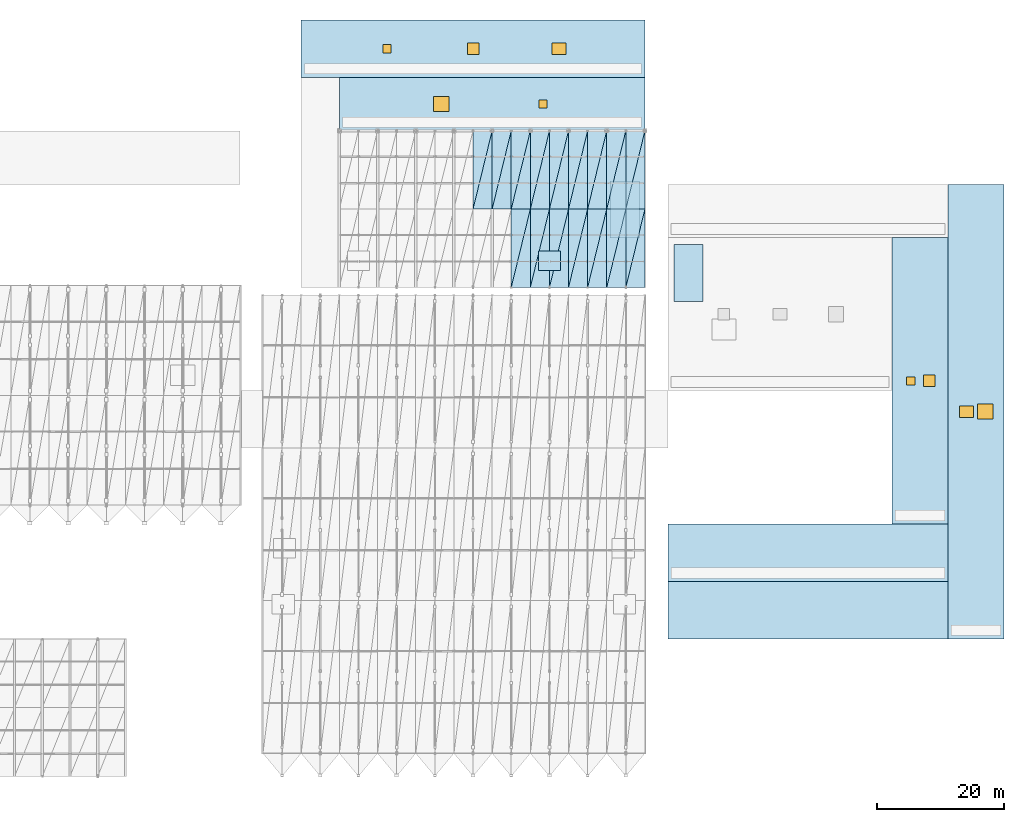
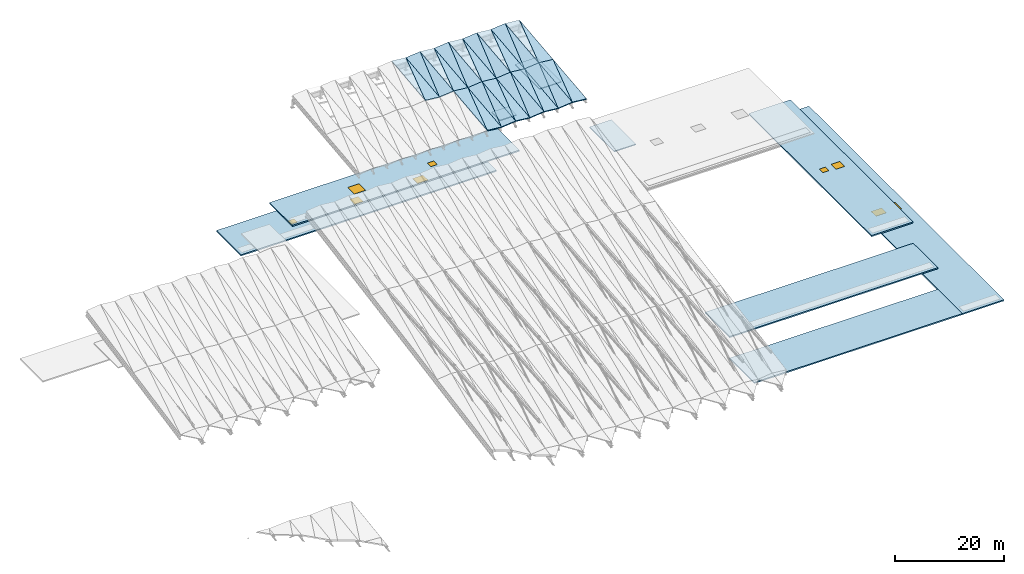
"""IFC4 building model written with IfcOpenShell, lengths in metres."""

from ifc_helpers import new_model, si_unit, direction, frame, origin, origin_2d, place, context, subcontext, project, spatial, polyline, rectangle, outline, extrude, material, layer, layer_set, type_object, element, fill, save


model = new_model("IFC4")

# Units and contexts
model_context = context("Model", 3, precision=1e-05, world=origin(), true_north=direction((0.0, 1.0)))
body_context = subcontext(model_context, "Body", "Model", "MODEL_VIEW")
ifc_project = project(units=[si_unit("LENGTHUNIT", "METRE"), si_unit("AREAUNIT", "SQUARE_METRE"), si_unit("VOLUMEUNIT", "CUBIC_METRE"), si_unit("PLANEANGLEUNIT", "RADIAN"), si_unit("MASSUNIT", "GRAM", prefix="KILO")], contexts=[model_context])

# Site, building, storey
site_placement = place(None, origin())
site = spatial("IfcSite", under=ifc_project, at=site_placement, CompositionType="ELEMENT")
building_placement = place(site_placement, origin())
building = spatial("IfcBuilding", under=site, at=building_placement, Name="Vaelkrest Opera House", CompositionType="ELEMENT")
storey_1_placement = place(building_placement, frame((0.0, 0.0, 41.39990234375)))
storey_1 = spatial("IfcBuildingStorey", under=building, at=storey_1_placement, Name="ROOF", CompositionType="ELEMENT", Elevation=41.39990234375)

# Slabs
ifc_material_1 = material(Name="Concrete C40/50", Category="concrete")
ifc_layer_1 = layer(ifc_material_1, 0.195068359375)
ifc_layer_set_1 = layer_set([ifc_layer_1], Name="Concrete C40/50")
slab_type_1 = type_object("IfcSlabType", Name="RS03", PredefinedType="ROOF", material=ifc_layer_set_1)
slab_1_placement = place(storey_1_placement, frame((3.0, 29.699951171875, 1.650146484375), z_axis=(0.098931440325, -0.108573040383, 0.989153408232), x_axis=(0.995035586592, 0.0, -0.0995197539)))
element("IfcSlab", 1, at=slab_1_placement, inside=storey_1, type_object=slab_type_1, Name="Pleated roof facet V2 4-2EL", PredefinedType="ROOF", context=body_context, shape_type="SweptSolid", body=[
    extrude(outline(polyline([(0.0, 0.0), (3.014967545307774, 6.938893903907228e-18), (2.880606158817039, 12.373193277141159), (0.0, 0.0)])), origin(), (0.0, 0.0, -1.0), 0.199951171875),
])
slab_2_placement = place(storey_1_placement, frame((3.0, 29.699951171875, 1.650146484375), z_axis=(0.09885194043, -0.108554502456, 0.989163390886), x_axis=(0.236144495216, 0.968196273882, 0.082654416823)))
element("IfcSlab", 2, at=slab_2_placement, inside=storey_1, type_object=slab_type_1, Name="Pleated roof facet V2 4-2EU", PredefinedType="ROOF", context=body_context, shape_type="SweptSolid", body=[
    extrude(outline(polyline([(0.0, 0.0), (12.704086103128628, 1.3877787807814457e-16), (12.020432799087706, 2.9364095440726423), (0.0, 0.0)])), origin(), (0.0, 0.0, -1.0), 0.199951171875),
])
slab_3_placement = place(storey_1_placement, frame((9.0, 17.39990234375, 0.300048828125), z_axis=(0.098931440325, -0.108573040383, 0.989153408232), x_axis=(0.995035586592, 0.0, -0.0995197539)))
element("IfcSlab", 3, at=slab_3_placement, inside=storey_1, type_object=slab_type_1, Name="Pleated roof facet V2 5-1EL", PredefinedType="ROOF", context=body_context, shape_type="SweptSolid", body=[
    extrude(outline(polyline([(0.0, 0.0), (3.014967545307774, 6.938893903907228e-18), (2.880606158817039, 12.373193277141159), (0.0, 0.0)])), origin(), (0.0, 0.0, -1.0), 0.199951171875),
])
slab_4_placement = place(storey_1_placement, frame((9.0, 17.39990234375, 0.300048828125), z_axis=(0.098931440325, -0.108573040383, 0.989153408232), x_axis=(0.236144495216, 0.968196273882, 0.082654416823)))
element("IfcSlab", 4, at=slab_4_placement, inside=storey_1, type_object=slab_type_1, Name="Pleated roof facet V2 5-1EU", PredefinedType="ROOF", context=body_context, shape_type="SweptSolid", body=[
    extrude(outline(polyline([(0.0, 0.0), (12.704086103128628, 6.661338147750939e-16), (12.020452978388688, 2.9364391786681865), (0.0, 0.0)])), origin(), (0.0, 0.0, -1.0), 0.199951171875),
])
slab_5_placement = place(storey_1_placement, frame((6.0, 29.699951171875, 1.35009765625), z_axis=(-0.098931651196, -0.108553638301, 0.989155516591), x_axis=(0.995035586592, 0.0, 0.0995197539)))
element("IfcSlab", 5, at=slab_5_placement, inside=storey_1, type_object=slab_type_1, Name="Pleated roof facet V2 5-2WL", PredefinedType="ROOF", context=body_context, shape_type="SweptSolid", body=[
    extrude(outline(polyline([(0.0, 0.0), (3.014967545307774, 0.0), (3.1493046349835927, 12.373166904000035), (0.0, 0.0)])), origin(), (0.0, 0.0, -1.0), 0.199951171875),
])
slab_6_placement = place(storey_1_placement, frame((6.0, 29.699951171875, 1.35009765625), z_axis=(-0.098851729727, -0.108573904688, 0.989161282477), x_axis=(0.234968492175, 0.963374642275, 0.129225021982)))
element("IfcSlab", 6, at=slab_6_placement, inside=storey_1, type_object=slab_type_1, Name="Pleated roof facet V2 5-2WU", PredefinedType="ROOF", context=body_context, shape_type="SweptSolid", body=[
    extrude(outline(polyline([(0.0, 0.0), (12.767669282925954, 3.3306690738754696e-16), (12.024021539067913, 2.9217924094127263), (0.0, 0.0)])), origin(), (0.0, 0.0, -1.0), 0.199951171875),
])
slab_7_placement = place(storey_1_placement, frame((9.0, 29.699951171875, 1.650146484375), z_axis=(0.098931440325, -0.108573040383, 0.989153408232), x_axis=(0.995035586592, 0.0, -0.0995197539)))
element("IfcSlab", 7, at=slab_7_placement, inside=storey_1, type_object=slab_type_1, Name="Pleated roof facet V2 5-2EL", PredefinedType="ROOF", context=body_context, shape_type="SweptSolid", body=[
    extrude(outline(polyline([(0.0, 0.0), (3.014967545307774, 6.938893903907228e-18), (2.880606158817039, 12.373193277141159), (0.0, 0.0)])), origin(), (0.0, 0.0, -1.0), 0.199951171875),
])
slab_8_placement = place(storey_1_placement, frame((9.0, 29.699951171875, 1.650146484375), z_axis=(0.09885194043, -0.108554502456, 0.989163390886), x_axis=(0.236144495216, 0.968196273882, 0.082654416823)))
element("IfcSlab", 8, at=slab_8_placement, inside=storey_1, type_object=slab_type_1, Name="Pleated roof facet V2 5-2EU", PredefinedType="ROOF", context=body_context, shape_type="SweptSolid", body=[
    extrude(outline(polyline([(0.0, 0.0), (12.704086103128628, 1.3877787807814457e-16), (12.020432799087706, 2.9364095440726423), (0.0, 0.0)])), origin(), (0.0, 0.0, -1.0), 0.199951171875),
])
slab_9_placement = place(storey_1_placement, frame((12.0, 17.39990234375, 0.0), z_axis=(-0.098931440325, -0.108573040383, 0.989153408232), x_axis=(0.995035586592, 0.0, 0.0995197539)))
element("IfcSlab", 9, at=slab_9_placement, inside=storey_1, type_object=slab_type_1, Name="Pleated roof facet V2 6-1WL", PredefinedType="ROOF", context=body_context, shape_type="SweptSolid", body=[
    extrude(outline(polyline([(0.0, 0.0), (3.014967545307774, -6.938893903907228e-18), (3.1493289317985096, 12.37319327714116), (0.0, 0.0)])), origin(), (0.0, 0.0, -1.0), 0.199951171875),
])
slab_10_placement = place(storey_1_placement, frame((12.0, 17.39990234375, 0.0), z_axis=(-0.098931440325, -0.108573040383, 0.989153408232), x_axis=(0.234967911524, 0.963372261596, 0.129243824381)))
element("IfcSlab", 10, at=slab_10_placement, inside=storey_1, type_object=slab_type_1, Name="Pleated roof facet V2 6-1WU", PredefinedType="ROOF", context=body_context, shape_type="SweptSolid", body=[
    extrude(outline(polyline([(0.0, 0.0), (12.767700834298804, -3.0531133177191805e-16), (12.024017641678572, 2.921808448251419), (0.0, 0.0)])), origin(), (0.0, 0.0, -1.0), 0.199951171875),
])
slab_11_placement = place(storey_1_placement, frame((15.0, 17.39990234375, 0.300048828125), z_axis=(0.098931440325, -0.108573040383, 0.989153408232), x_axis=(0.995035586592, 0.0, -0.0995197539)))
element("IfcSlab", 11, at=slab_11_placement, inside=storey_1, type_object=slab_type_1, Name="Pleated roof facet V2 6-1EL", PredefinedType="ROOF", context=body_context, shape_type="SweptSolid", body=[
    extrude(outline(polyline([(0.0, 0.0), (3.014967545307774, 6.938893903907228e-18), (2.880606158817039, 12.373193277141159), (0.0, 0.0)])), origin(), (0.0, 0.0, -1.0), 0.199951171875),
])
slab_12_placement = place(storey_1_placement, frame((15.0, 17.39990234375, 0.300048828125), z_axis=(0.098931440325, -0.108573040383, 0.989153408232), x_axis=(0.236144495216, 0.968196273882, 0.082654416823)))
element("IfcSlab", 12, at=slab_12_placement, inside=storey_1, type_object=slab_type_1, Name="Pleated roof facet V2 6-1EU", PredefinedType="ROOF", context=body_context, shape_type="SweptSolid", body=[
    extrude(outline(polyline([(0.0, 0.0), (12.704086103128628, 6.661338147750939e-16), (12.020452978388688, 2.9364391786681865), (0.0, 0.0)])), origin(), (0.0, 0.0, -1.0), 0.199951171875),
])
slab_13_placement = place(storey_1_placement, frame((12.0, 29.699951171875, 1.35009765625), z_axis=(-0.098931651196, -0.108553638301, 0.989155516591), x_axis=(0.995035586592, 0.0, 0.0995197539)))
element("IfcSlab", 13, at=slab_13_placement, inside=storey_1, type_object=slab_type_1, Name="Pleated roof facet V2 6-2WL", PredefinedType="ROOF", context=body_context, shape_type="SweptSolid", body=[
    extrude(outline(polyline([(0.0, 0.0), (3.014967545307774, 0.0), (3.1493046349835927, 12.373166904000035), (0.0, 0.0)])), origin(), (0.0, 0.0, -1.0), 0.199951171875),
])
slab_14_placement = place(storey_1_placement, frame((12.0, 29.699951171875, 1.35009765625), z_axis=(-0.098851729727, -0.108573904688, 0.989161282477), x_axis=(0.234968492175, 0.963374642275, 0.129225021982)))
element("IfcSlab", 14, at=slab_14_placement, inside=storey_1, type_object=slab_type_1, Name="Pleated roof facet V2 6-2WU", PredefinedType="ROOF", context=body_context, shape_type="SweptSolid", body=[
    extrude(outline(polyline([(0.0, 0.0), (12.767669282925954, 3.3306690738754696e-16), (12.024021539067913, 2.9217924094127263), (0.0, 0.0)])), origin(), (0.0, 0.0, -1.0), 0.199951171875),
])
slab_15_placement = place(storey_1_placement, frame((15.0, 29.699951171875, 1.650146484375), z_axis=(0.098931440325, -0.108573040383, 0.989153408232), x_axis=(0.995035586592, 0.0, -0.0995197539)))
element("IfcSlab", 15, at=slab_15_placement, inside=storey_1, type_object=slab_type_1, Name="Pleated roof facet V2 6-2EL", PredefinedType="ROOF", context=body_context, shape_type="SweptSolid", body=[
    extrude(outline(polyline([(0.0, 0.0), (3.014967545307774, 6.938893903907228e-18), (2.880606158817039, 12.373193277141159), (0.0, 0.0)])), origin(), (0.0, 0.0, -1.0), 0.199951171875),
])
slab_16_placement = place(storey_1_placement, frame((15.0, 29.699951171875, 1.650146484375), z_axis=(0.09885194043, -0.108554502456, 0.989163390886), x_axis=(0.236144495216, 0.968196273882, 0.082654416823)))
element("IfcSlab", 16, at=slab_16_placement, inside=storey_1, type_object=slab_type_1, Name="Pleated roof facet V2 6-2EU", PredefinedType="ROOF", context=body_context, shape_type="SweptSolid", body=[
    extrude(outline(polyline([(0.0, 0.0), (12.704086103128628, 1.3877787807814457e-16), (12.020432799087706, 2.9364095440726423), (0.0, 0.0)])), origin(), (0.0, 0.0, -1.0), 0.199951171875),
])
slab_17_placement = place(storey_1_placement, frame((18.0, 17.39990234375, 0.0), z_axis=(-0.098931440325, -0.108573040383, 0.989153408232), x_axis=(0.995035586592, 0.0, 0.0995197539)))
element("IfcSlab", 17, at=slab_17_placement, inside=storey_1, type_object=slab_type_1, Name="Pleated roof facet V2 7-1WL", PredefinedType="ROOF", context=body_context, shape_type="SweptSolid", body=[
    extrude(outline(polyline([(0.0, 0.0), (3.014967545307774, -6.938893903907228e-18), (3.1493289317985096, 12.37319327714116), (0.0, 0.0)])), origin(), (0.0, 0.0, -1.0), 0.199951171875),
])
slab_18_placement = place(storey_1_placement, frame((18.0, 17.39990234375, 0.0), z_axis=(-0.098931440325, -0.108573040383, 0.989153408232), x_axis=(0.234967911524, 0.963372261596, 0.129243824381)))
element("IfcSlab", 18, at=slab_18_placement, inside=storey_1, type_object=slab_type_1, Name="Pleated roof facet V2 7-1WU", PredefinedType="ROOF", context=body_context, shape_type="SweptSolid", body=[
    extrude(outline(polyline([(0.0, 0.0), (12.767700834298804, -3.0531133177191805e-16), (12.024017641678572, 2.921808448251419), (0.0, 0.0)])), origin(), (0.0, 0.0, -1.0), 0.199951171875),
])
slab_19_placement = place(storey_1_placement, frame((21.0, 17.39990234375, 0.300048828125), z_axis=(0.098931440325, -0.108573040383, 0.989153408232), x_axis=(0.995035586592, 0.0, -0.0995197539)))
element("IfcSlab", 19, at=slab_19_placement, inside=storey_1, type_object=slab_type_1, Name="Pleated roof facet V2 7-1EL", PredefinedType="ROOF", context=body_context, shape_type="SweptSolid", body=[
    extrude(outline(polyline([(0.0, 0.0), (3.014967545307774, 6.938893903907228e-18), (2.880606158817039, 12.373193277141159), (0.0, 0.0)])), origin(), (0.0, 0.0, -1.0), 0.199951171875),
])
slab_20_placement = place(storey_1_placement, frame((21.0, 17.39990234375, 0.300048828125), z_axis=(0.098931440325, -0.108573040383, 0.989153408232), x_axis=(0.236144495216, 0.968196273882, 0.082654416823)))
element("IfcSlab", 20, at=slab_20_placement, inside=storey_1, type_object=slab_type_1, Name="Pleated roof facet V2 7-1EU", PredefinedType="ROOF", context=body_context, shape_type="SweptSolid", body=[
    extrude(outline(polyline([(0.0, 0.0), (12.704086103128628, 6.661338147750939e-16), (12.020452978388688, 2.9364391786681865), (0.0, 0.0)])), origin(), (0.0, 0.0, -1.0), 0.199951171875),
])
slab_21_placement = place(storey_1_placement, frame((18.0, 29.699951171875, 1.35009765625), z_axis=(-0.098931651196, -0.108553638301, 0.989155516591), x_axis=(0.995035586592, 0.0, 0.0995197539)))
element("IfcSlab", 21, at=slab_21_placement, inside=storey_1, type_object=slab_type_1, Name="Pleated roof facet V2 7-2WL", PredefinedType="ROOF", context=body_context, shape_type="SweptSolid", body=[
    extrude(outline(polyline([(0.0, 0.0), (3.014967545307774, 0.0), (3.1493046349835927, 12.373166904000035), (0.0, 0.0)])), origin(), (0.0, 0.0, -1.0), 0.199951171875),
])
slab_22_placement = place(storey_1_placement, frame((18.0, 29.699951171875, 1.35009765625), z_axis=(-0.098851729727, -0.108573904688, 0.989161282477), x_axis=(0.234968492175, 0.963374642275, 0.129225021982)))
element("IfcSlab", 22, at=slab_22_placement, inside=storey_1, type_object=slab_type_1, Name="Pleated roof facet V2 7-2WU", PredefinedType="ROOF", context=body_context, shape_type="SweptSolid", body=[
    extrude(outline(polyline([(0.0, 0.0), (12.767669282925954, 3.3306690738754696e-16), (12.024021539067913, 2.9217924094127263), (0.0, 0.0)])), origin(), (0.0, 0.0, -1.0), 0.199951171875),
])
slab_23_placement = place(storey_1_placement, frame((21.0, 29.699951171875, 1.650146484375), z_axis=(0.098931440325, -0.108573040383, 0.989153408232), x_axis=(0.995035586592, 0.0, -0.0995197539)))
element("IfcSlab", 23, at=slab_23_placement, inside=storey_1, type_object=slab_type_1, Name="Pleated roof facet V2 7-2EL", PredefinedType="ROOF", context=body_context, shape_type="SweptSolid", body=[
    extrude(outline(polyline([(0.0, 0.0), (3.014967545307774, 6.938893903907228e-18), (2.880606158817039, 12.373193277141159), (0.0, 0.0)])), origin(), (0.0, 0.0, -1.0), 0.199951171875),
])
slab_24_placement = place(storey_1_placement, frame((21.0, 29.699951171875, 1.650146484375), z_axis=(0.09885194043, -0.108554502456, 0.989163390886), x_axis=(0.236144495216, 0.968196273882, 0.082654416823)))
element("IfcSlab", 24, at=slab_24_placement, inside=storey_1, type_object=slab_type_1, Name="Pleated roof facet V2 7-2EU", PredefinedType="ROOF", context=body_context, shape_type="SweptSolid", body=[
    extrude(outline(polyline([(0.0, 0.0), (12.704086103128628, 1.3877787807814457e-16), (12.020432799087706, 2.9364095440726423), (0.0, 0.0)])), origin(), (0.0, 0.0, -1.0), 0.199951171875),
])
slab_25_placement = place(storey_1_placement, frame((24.0, 17.39990234375, 0.0), z_axis=(-0.098931440325, -0.108573040383, 0.989153408232), x_axis=(0.995035586592, 0.0, 0.0995197539)))
element("IfcSlab", 25, at=slab_25_placement, inside=storey_1, type_object=slab_type_1, Name="Pleated roof facet V2 8-1WL", PredefinedType="ROOF", context=body_context, shape_type="SweptSolid", body=[
    extrude(outline(polyline([(0.0, 0.0), (3.014967545307774, -6.938893903907228e-18), (3.1493289317985096, 12.37319327714116), (0.0, 0.0)])), origin(), (0.0, 0.0, -1.0), 0.199951171875),
])
slab_26_placement = place(storey_1_placement, frame((24.0, 17.39990234375, 0.0), z_axis=(-0.098931440325, -0.108573040383, 0.989153408232), x_axis=(0.234967911524, 0.963372261596, 0.129243824381)))
element("IfcSlab", 26, at=slab_26_placement, inside=storey_1, type_object=slab_type_1, Name="Pleated roof facet V2 8-1WU", PredefinedType="ROOF", context=body_context, shape_type="SweptSolid", body=[
    extrude(outline(polyline([(0.0, 0.0), (12.767700834298804, -3.0531133177191805e-16), (12.024017641678572, 2.921808448251419), (0.0, 0.0)])), origin(), (0.0, 0.0, -1.0), 0.199951171875),
])
slab_27_placement = place(storey_1_placement, frame((27.0, 17.39990234375, 0.300048828125), z_axis=(0.098931440325, -0.108573040383, 0.989153408232), x_axis=(0.995035586592, 0.0, -0.0995197539)))
element("IfcSlab", 27, at=slab_27_placement, inside=storey_1, type_object=slab_type_1, Name="Pleated roof facet V2 8-1EL", PredefinedType="ROOF", context=body_context, shape_type="SweptSolid", body=[
    extrude(outline(polyline([(0.0, 0.0), (3.014967545307774, 6.938893903907228e-18), (2.880606158817039, 12.373193277141159), (0.0, 0.0)])), origin(), (0.0, 0.0, -1.0), 0.199951171875),
])
slab_28_placement = place(storey_1_placement, frame((27.0, 17.39990234375, 0.300048828125), z_axis=(0.098931440325, -0.108573040383, 0.989153408232), x_axis=(0.236144495216, 0.968196273882, 0.082654416823)))
element("IfcSlab", 28, at=slab_28_placement, inside=storey_1, type_object=slab_type_1, Name="Pleated roof facet V2 8-1EU", PredefinedType="ROOF", context=body_context, shape_type="SweptSolid", body=[
    extrude(outline(polyline([(0.0, 0.0), (12.704086103128628, 6.661338147750939e-16), (12.020452978388688, 2.9364391786681865), (0.0, 0.0)])), origin(), (0.0, 0.0, -1.0), 0.199951171875),
])
slab_29_placement = place(storey_1_placement, frame((24.0, 29.699951171875, 1.35009765625), z_axis=(-0.098931651196, -0.108553638301, 0.989155516591), x_axis=(0.995035586592, 0.0, 0.0995197539)))
element("IfcSlab", 29, at=slab_29_placement, inside=storey_1, type_object=slab_type_1, Name="Pleated roof facet V2 8-2WL", PredefinedType="ROOF", context=body_context, shape_type="SweptSolid", body=[
    extrude(outline(polyline([(0.0, 0.0), (3.014967545307774, 0.0), (3.1493046349835927, 12.373166904000035), (0.0, 0.0)])), origin(), (0.0, 0.0, -1.0), 0.199951171875),
])
slab_30_placement = place(storey_1_placement, frame((24.0, 29.699951171875, 1.35009765625), z_axis=(-0.098851729727, -0.108573904688, 0.989161282477), x_axis=(0.234968492175, 0.963374642275, 0.129225021982)))
element("IfcSlab", 30, at=slab_30_placement, inside=storey_1, type_object=slab_type_1, Name="Pleated roof facet V2 8-2WU", PredefinedType="ROOF", context=body_context, shape_type="SweptSolid", body=[
    extrude(outline(polyline([(0.0, 0.0), (12.767669282925954, 3.3306690738754696e-16), (12.024021539067913, 2.9217924094127263), (0.0, 0.0)])), origin(), (0.0, 0.0, -1.0), 0.199951171875),
])
slab_31_placement = place(storey_1_placement, frame((27.0, 29.699951171875, 1.650146484375), z_axis=(0.098931440325, -0.108573040383, 0.989153408232), x_axis=(0.995035586592, 0.0, -0.0995197539)))
element("IfcSlab", 31, at=slab_31_placement, inside=storey_1, type_object=slab_type_1, Name="Pleated roof facet V2 8-2EL", PredefinedType="ROOF", context=body_context, shape_type="SweptSolid", body=[
    extrude(outline(polyline([(0.0, 0.0), (3.014967545307774, 6.938893903907228e-18), (2.880606158817039, 12.373193277141159), (0.0, 0.0)])), origin(), (0.0, 0.0, -1.0), 0.199951171875),
])
slab_32_placement = place(storey_1_placement, frame((27.0, 29.699951171875, 1.650146484375), z_axis=(0.09885194043, -0.108554502456, 0.989163390886), x_axis=(0.236144495216, 0.968196273882, 0.082654416823)))
element("IfcSlab", 32, at=slab_32_placement, inside=storey_1, type_object=slab_type_1, Name="Pleated roof facet V2 8-2EU", PredefinedType="ROOF", context=body_context, shape_type="SweptSolid", body=[
    extrude(outline(polyline([(0.0, 0.0), (12.704086103128628, 1.3877787807814457e-16), (12.020432799087706, 2.9364095440726423), (0.0, 0.0)])), origin(), (0.0, 0.0, -1.0), 0.199951171875),
])

# Slab, openings
ifc_layer_2 = layer(ifc_material_1, 0.27490234375)
ifc_layer_set_2 = layer_set([ifc_layer_2], Name="Concrete C40/50")
slab_type_2 = type_object("IfcSlabType", Name="RS05", PredefinedType="ROOF", material=ifc_layer_set_2)
slab_33_placement = place(storey_1_placement, frame((0.0, 0.0, -21.875)))
slab_33 = element("IfcSlab", 33, at=slab_33_placement, inside=storey_1, type_object=slab_type_2, Name="Flat roof slab SLB-ROOF-V4-MID", PredefinedType="ROOF", context=body_context, shape_type="SweptSolid", body=[
    extrude(outline(polyline([(68.800048828125, -19.800048828125), (77.60009765625, -19.800048828125), (77.60009765625, 25.199951171875), (68.800048828125, 25.199951171875), (68.800048828125, -19.800048828125)])), origin(), (0.0, 0.0, 1.0), 0.275146484375),
])
opening_1_placement = place(slab_33_placement, frame((71.73291015625, 2.699951171875, 0.0)))
opening_1 = element("IfcOpeningElement", 34, at=opening_1_placement, cuts=slab_33, Name="Opening SK04", PredefinedType="OPENING", context=body_context, shape_type="SweptSolid", body=[
    extrude(rectangle(XDim=1.300048828125, YDim=1.300048828125, at=origin_2d()), frame((0.0, 0.0, -0.010009765625)), (0.0, 0.0, 1.0), 0.295166015625),
])
opening_2_placement = place(slab_33_placement, frame((74.6669921875, 2.699951171875, 0.0)))
opening_2 = element("IfcOpeningElement", 35, at=opening_2_placement, cuts=slab_33, Name="Opening SK05", PredefinedType="OPENING", context=body_context, shape_type="SweptSolid", body=[
    extrude(rectangle(XDim=1.800048828125, YDim=1.800048828125, at=origin_2d()), frame((0.0, 0.0, -0.010009765625)), (0.0, 0.0, 1.0), 0.295166015625),
])

# Storey
storey_2_placement = place(building_placement, frame((0.0, 0.0, 15.0)))
storey_2 = spatial("IfcBuildingStorey", under=building, at=storey_2_placement, Name="L03", CompositionType="ELEMENT", Elevation=15.0)

# Window
ifc_material_2 = material(Name="Double low-E insulated glazing", Category="glass")
window_type_1 = type_object("IfcWindowType", Name="SKT01", PartitioningType="SINGLE_PANEL", PredefinedType="SKYLIGHT", material=ifc_material_2)
window_1_placement = place(opening_2_placement, frame((0.0, 0.0, 0.22509765625)))
window_1 = element("IfcWindow", 36, at=window_1_placement, inside=storey_2, type_object=window_type_1, Name="Roof skylight SK05", OverallHeight=1.800048828125, OverallWidth=1.800048828125, PartitioningType="SINGLE_PANEL", PredefinedType="SKYLIGHT", context=body_context, shape_type="SweptSolid", body=[
    extrude(rectangle(XDim=1.800048828125, YDim=1.800048828125, at=origin_2d()), origin(), (0.0, 0.0, 1.0), 0.050048828125),
])

fill(opening_2, window_1)

window_type_2 = type_object("IfcWindowType", Name="SKT04", PartitioningType="SINGLE_PANEL", PredefinedType="SKYLIGHT", material=ifc_material_2)
window_2_placement = place(opening_1_placement, frame((0.0, 0.0, 0.22509765625)))
window_2 = element("IfcWindow", 37, at=window_2_placement, inside=storey_2, type_object=window_type_2, Name="Roof skylight SK04", OverallHeight=1.300048828125, OverallWidth=1.300048828125, PartitioningType="SINGLE_PANEL", PredefinedType="SKYLIGHT", context=body_context, shape_type="SweptSolid", body=[
    extrude(rectangle(XDim=1.300048828125, YDim=1.300048828125, at=origin_2d()), origin(), (0.0, 0.0, 1.0), 0.050048828125),
])

fill(opening_1, window_2)

# Slab, openings
slab_34_placement = place(storey_1_placement, frame((0.0, 0.0, -31.474853515625)))
slab_34 = element("IfcSlab", 38, at=slab_34_placement, inside=storey_1, type_object=slab_type_2, Name="Flat roof slab SLB-ROOF-V4-LOW", PredefinedType="ROOF", context=body_context, shape_type="SweptSolid", body=[
    extrude(outline(polyline([(77.60009765625, -37.800048828125), (86.39990234375, -37.800048828125), (86.39990234375, 33.60009765625), (77.60009765625, 33.60009765625), (77.60009765625, -37.800048828125)])), origin(), (0.0, 0.0, 1.0), 0.27490234375),
])
opening_3_placement = place(slab_34_placement, frame((80.532958984375, -2.10009765625, 0.0)))
opening_3 = element("IfcOpeningElement", 39, at=opening_3_placement, cuts=slab_34, Name="Opening SK06", PredefinedType="OPENING", context=body_context, shape_type="SweptSolid", body=[
    extrude(rectangle(XDim=2.199951171875, YDim=1.800048828125, at=origin_2d()), frame((0.0, 0.0, -0.010009765625)), (0.0, 0.0, 1.0), 0.294921875),
])
opening_4_placement = place(slab_34_placement, frame((83.467041015625, -2.10009765625, 0.0)))
opening_4 = element("IfcOpeningElement", 40, at=opening_4_placement, cuts=slab_34, Name="Opening SK07", PredefinedType="OPENING", context=body_context, shape_type="SweptSolid", body=[
    extrude(rectangle(XDim=2.39990234375, YDim=2.39990234375, at=origin_2d()), frame((0.0, 0.0, -0.010009765625)), (0.0, 0.0, 1.0), 0.294921875),
])

# Storey
storey_3_placement = place(building_placement, frame((0.0, 0.0, 5.39990234375)))
storey_3 = spatial("IfcBuildingStorey", under=building, at=storey_3_placement, Name="L01", CompositionType="ELEMENT", Elevation=5.39990234375)

# Window
window_type_3 = type_object("IfcWindowType", Name="SKT02", PartitioningType="SINGLE_PANEL", PredefinedType="SKYLIGHT", material=ifc_material_2)
window_3_placement = place(opening_3_placement, frame((0.0, 0.0, 0.224853515625)))
window_3 = element("IfcWindow", 41, at=window_3_placement, inside=storey_3, type_object=window_type_3, Name="Roof skylight SK06", OverallHeight=1.800048828125, OverallWidth=2.199951171875, PartitioningType="SINGLE_PANEL", PredefinedType="SKYLIGHT", context=body_context, shape_type="SweptSolid", body=[
    extrude(rectangle(XDim=2.199951171875, YDim=1.800048828125, at=origin_2d()), origin(), (0.0, 0.0, 1.0), 0.050048828125),
])

fill(opening_3, window_3)

window_type_4 = type_object("IfcWindowType", Name="SKT03", PartitioningType="SINGLE_PANEL", PredefinedType="SKYLIGHT", material=ifc_material_2)
window_4_placement = place(opening_4_placement, frame((0.0, 0.0, 0.224853515625)))
window_4 = element("IfcWindow", 42, at=window_4_placement, inside=storey_3, type_object=window_type_4, Name="Roof skylight SK07", OverallHeight=2.39990234375, OverallWidth=2.39990234375, PartitioningType="SINGLE_PANEL", PredefinedType="SKYLIGHT", context=body_context, shape_type="SweptSolid", body=[
    extrude(rectangle(XDim=2.39990234375, YDim=2.39990234375, at=origin_2d()), origin(), (0.0, 0.0, 1.0), 0.050048828125),
])

fill(opening_4, window_4)

# Slabs
slab_35_placement = place(storey_1_placement, frame((0.0, 0.0, -31.474853515625)))
element("IfcSlab", 43, at=slab_35_placement, inside=storey_1, type_object=slab_type_2, Name="Flat roof slab SLB-ROOF-V4-SOU", PredefinedType="ROOF", context=body_context, shape_type="SweptSolid", body=[
    extrude(outline(polyline([(33.60009765625, -37.800048828125), (77.60009765625, -37.800048828125), (77.60009765625, -28.800048828125), (33.60009765625, -28.800048828125), (33.60009765625, -37.800048828125)])), origin(), (0.0, 0.0, 1.0), 0.27490234375),
])
slab_36_placement = place(storey_1_placement, frame((0.0, 0.0, -26.6748046875)))
element("IfcSlab", 44, at=slab_36_placement, inside=storey_1, type_object=slab_type_2, Name="Flat roof slab SLB-ROOF-V4-S15", PredefinedType="ROOF", context=body_context, shape_type="SweptSolid", body=[
    extrude(outline(polyline([(33.60009765625, -28.800048828125), (77.60009765625, -28.800048828125), (77.60009765625, -19.800048828125), (33.60009765625, -19.800048828125), (33.60009765625, -28.800048828125)])), origin(), (0.0, 0.0, 1.0), 0.27490234375),
])

# Slab, openings
slab_37_placement = place(storey_1_placement, frame((0.0, 0.0, -36.27490234375)))
slab_37 = element("IfcSlab", 45, at=slab_37_placement, inside=storey_1, type_object=slab_type_2, Name="Flat roof slab SLB-ROOF-V2-REAR", PredefinedType="ROOF", context=body_context, shape_type="SweptSolid", body=[
    extrude(outline(polyline([(-24.0, 50.39990234375), (30.0, 50.39990234375), (30.0, 59.39990234375), (-24.0, 59.39990234375), (-24.0, 50.39990234375)])), origin(), (0.0, 0.0, 1.0), 0.27490234375),
])
opening_5_placement = place(slab_37_placement, frame((-10.5, 54.89990234375, 0.0)))
opening_5 = element("IfcOpeningElement", 46, at=opening_5_placement, cuts=slab_37, Name="Opening SK08", PredefinedType="OPENING", context=body_context, shape_type="SweptSolid", body=[
    extrude(rectangle(XDim=1.300048828125, YDim=1.300048828125, at=origin_2d()), frame((0.0, 0.0, -0.010009765625)), (0.0, 0.0, 1.0), 0.294921875),
])
opening_6_placement = place(slab_37_placement, frame((3.0, 54.89990234375, 0.0)))
opening_6 = element("IfcOpeningElement", 47, at=opening_6_placement, cuts=slab_37, Name="Opening SK09", PredefinedType="OPENING", context=body_context, shape_type="SweptSolid", body=[
    extrude(rectangle(XDim=1.800048828125, YDim=1.800048828125, at=origin_2d()), frame((0.0, 0.0, -0.010009765625)), (0.0, 0.0, 1.0), 0.294921875),
])
opening_7_placement = place(slab_37_placement, frame((16.5, 54.89990234375, 0.0)))
opening_7 = element("IfcOpeningElement", 48, at=opening_7_placement, cuts=slab_37, Name="Opening SK10", PredefinedType="OPENING", context=body_context, shape_type="SweptSolid", body=[
    extrude(rectangle(XDim=2.199951171875, YDim=1.800048828125, at=origin_2d()), frame((0.0, 0.0, -0.010009765625)), (0.0, 0.0, 1.0), 0.294921875),
])

# Storey
storey_4_placement = place(building_placement, origin())
storey_4 = spatial("IfcBuildingStorey", under=building, at=storey_4_placement, Name="L00", CompositionType="ELEMENT", Elevation=0.0)

# Window
window_5_placement = place(opening_6_placement, frame((0.0, 0.0, 0.224853515625)))
window_5 = element("IfcWindow", 49, at=window_5_placement, inside=storey_4, type_object=window_type_1, Name="Roof skylight SK09", OverallHeight=1.800048828125, OverallWidth=1.800048828125, PartitioningType="SINGLE_PANEL", PredefinedType="SKYLIGHT", context=body_context, shape_type="SweptSolid", body=[
    extrude(rectangle(XDim=1.800048828125, YDim=1.800048828125, at=origin_2d()), origin(), (0.0, 0.0, 1.0), 0.050048828125),
])

fill(opening_6, window_5)

window_6_placement = place(opening_7_placement, frame((0.0, 0.0, 0.224853515625)))
window_6 = element("IfcWindow", 50, at=window_6_placement, inside=storey_4, type_object=window_type_3, Name="Roof skylight SK10", OverallHeight=1.800048828125, OverallWidth=2.199951171875, PartitioningType="SINGLE_PANEL", PredefinedType="SKYLIGHT", context=body_context, shape_type="SweptSolid", body=[
    extrude(rectangle(XDim=2.199951171875, YDim=1.800048828125, at=origin_2d()), origin(), (0.0, 0.0, 1.0), 0.050048828125),
])

fill(opening_7, window_6)

window_7_placement = place(opening_5_placement, frame((0.0, 0.0, 0.224853515625)))
window_7 = element("IfcWindow", 51, at=window_7_placement, inside=storey_4, type_object=window_type_2, Name="Roof skylight SK08", OverallHeight=1.300048828125, OverallWidth=1.300048828125, PartitioningType="SINGLE_PANEL", PredefinedType="SKYLIGHT", context=body_context, shape_type="SweptSolid", body=[
    extrude(rectangle(XDim=1.300048828125, YDim=1.300048828125, at=origin_2d()), origin(), (0.0, 0.0, 1.0), 0.050048828125),
])

fill(opening_5, window_7)

# Slab, openings
slab_38_placement = place(storey_1_placement, frame((0.0, 0.0, -26.6748046875)))
slab_38 = element("IfcSlab", 52, at=slab_38_placement, inside=storey_1, type_object=slab_type_2, Name="Flat roof slab SLB-ROOF-V2-NORTH", PredefinedType="ROOF", context=body_context, shape_type="SweptSolid", body=[
    extrude(outline(polyline([(-18.0, 42.0), (30.0, 42.0), (30.0, 50.39990234375), (-18.0, 50.39990234375), (-18.0, 42.0)])), origin(), (0.0, 0.0, 1.0), 0.27490234375),
])
opening_8_placement = place(slab_38_placement, frame((-2.0, 46.199951171875, 0.0)))
opening_8 = element("IfcOpeningElement", 53, at=opening_8_placement, cuts=slab_38, Name="Opening SK11", PredefinedType="OPENING", context=body_context, shape_type="SweptSolid", body=[
    extrude(rectangle(XDim=2.39990234375, YDim=2.39990234375, at=origin_2d()), frame((0.0, 0.0, -0.010009765625)), (0.0, 0.0, 1.0), 0.294921875),
])
opening_9_placement = place(slab_38_placement, frame((14.0, 46.199951171875, 0.0)))
opening_9 = element("IfcOpeningElement", 54, at=opening_9_placement, cuts=slab_38, Name="Opening SK12", PredefinedType="OPENING", context=body_context, shape_type="SweptSolid", body=[
    extrude(rectangle(XDim=1.300048828125, YDim=1.300048828125, at=origin_2d()), frame((0.0, 0.0, -0.010009765625)), (0.0, 0.0, 1.0), 0.294921875),
])

# Storey
storey_5_placement = place(building_placement, frame((0.0, 0.0, 10.199951171875)))
storey_5 = spatial("IfcBuildingStorey", under=building, at=storey_5_placement, Name="L02", CompositionType="ELEMENT", Elevation=10.199951171875)

# Window
window_8_placement = place(opening_8_placement, frame((0.0, 0.0, 0.224853515625)))
window_8 = element("IfcWindow", 55, at=window_8_placement, inside=storey_5, type_object=window_type_4, Name="Roof skylight SK11", OverallHeight=2.39990234375, OverallWidth=2.39990234375, PartitioningType="SINGLE_PANEL", PredefinedType="SKYLIGHT", context=body_context, shape_type="SweptSolid", body=[
    extrude(rectangle(XDim=2.39990234375, YDim=2.39990234375, at=origin_2d()), origin(), (0.0, 0.0, 1.0), 0.050048828125),
])

fill(opening_8, window_8)

window_9_placement = place(opening_9_placement, frame((0.0, 0.0, 0.224853515625)))
window_9 = element("IfcWindow", 56, at=window_9_placement, inside=storey_5, type_object=window_type_2, Name="Roof skylight SK12", OverallHeight=1.300048828125, OverallWidth=1.300048828125, PartitioningType="SINGLE_PANEL", PredefinedType="SKYLIGHT", context=body_context, shape_type="SweptSolid", body=[
    extrude(rectangle(XDim=1.300048828125, YDim=1.300048828125, at=origin_2d()), origin(), (0.0, 0.0, 1.0), 0.050048828125),
])

fill(opening_9, window_9)

# Slabs
ifc_layer_3 = layer(ifc_material_1, 0.205078125)
ifc_layer_set_3 = layer_set([ifc_layer_3], Name="Concrete C40/50")
slab_type_3 = type_object("IfcSlabType", Name="RS06", PredefinedType="ROOF", material=ifc_layer_set_3)
slab_39_placement = place(storey_1_placement, frame((0.0, 0.0, -0.7548828125)))
element("IfcSlab", 57, at=slab_39_placement, inside=storey_1, type_object=slab_type_3, Name="Stair shaft cap slab ST06", PredefinedType="ROOF", context=body_context, shape_type="SweptSolid", body=[
    extrude(outline(polyline([(24.550048828125, 25.14990234375), (29.14990234375, 25.14990234375), (29.14990234375, 34.14990234375), (24.550048828125, 34.14990234375), (24.550048828125, 25.14990234375)])), origin(), (0.0, 0.0, 1.0), 0.205078125),
])
slab_40_placement = place(storey_1_placement, frame((0.0, 0.0, -12.15478515625)))
element("IfcSlab", 58, at=slab_40_placement, inside=storey_1, type_object=slab_type_3, Name="Stair shaft cap slab ST09", PredefinedType="ROOF", context=body_context, shape_type="SweptSolid", body=[
    extrude(outline(polyline([(34.550048828125, 15.14990234375), (39.14990234375, 15.14990234375), (39.14990234375, 24.14990234375), (34.550048828125, 24.14990234375), (34.550048828125, 15.14990234375)])), origin(), (0.0, 0.0, 1.0), 0.204833984375),
])
slab_41_placement = place(storey_1_placement, frame((0.0, 0.0, -0.7548828125)))
element("IfcSlab", 59, at=slab_41_placement, inside=storey_1, type_object=slab_type_3, Name="Lift overrun slab LF02", PredefinedType="ROOF", context=body_context, shape_type="SweptSolid", body=[
    extrude(outline(polyline([(13.260009765625, 20.06005859375), (16.739990234375, 20.06005859375), (16.739990234375, 23.139892578125), (13.260009765625, 23.139892578125), (13.260009765625, 20.06005859375)])), origin(), (0.0, 0.0, 1.0), 0.205078125),
])

save(model, "model.ifc")
